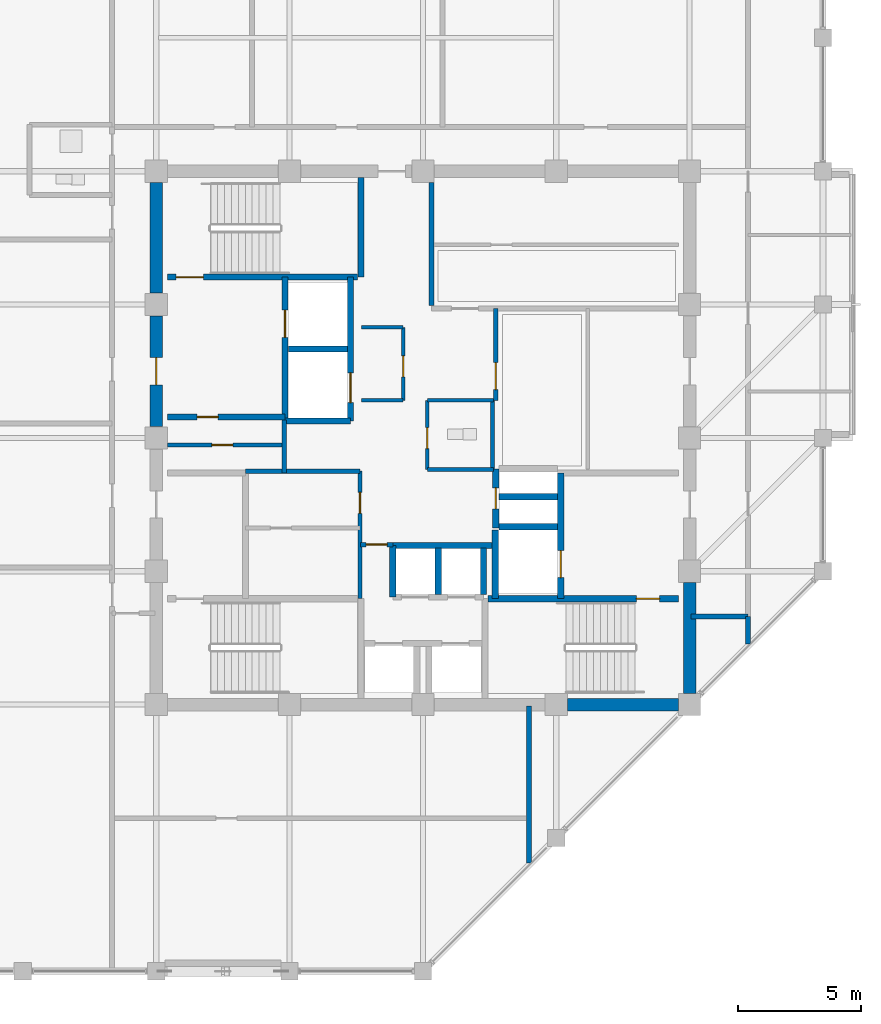
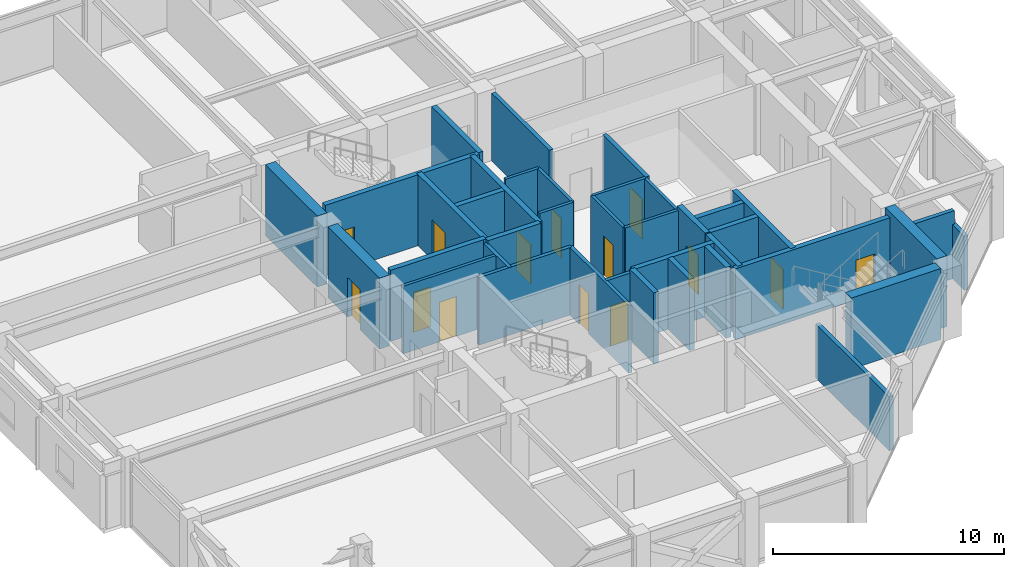
# One storey, part 24 of 29: 38 walls, 14 doors, 14 openings.
"""IFC4 building model written with IfcOpenShell, lengths in metres."""

from ifc_helpers import new_model, si_unit, direction, frame, frame_2d, origin, place, context, subcontext, project, spatial, rectangle, extrude, material, layer, layer_set, type_object, element, fill, save


model = new_model("IFC4")

# Units and contexts
model_context = context("Model", 3, precision=1e-05, world=origin(), true_north=direction((0.0, 1.0)))
body_context = subcontext(model_context, "Body", "Model", "MODEL_VIEW")
ifc_project = project(units=[si_unit("LENGTHUNIT", "METRE"), si_unit("AREAUNIT", "SQUARE_METRE"), si_unit("VOLUMEUNIT", "CUBIC_METRE"), si_unit("PLANEANGLEUNIT", "RADIAN"), si_unit("MASSUNIT", "GRAM", prefix="KILO")], contexts=[model_context])

# Site, building, storey
site_placement = place(None, origin())
site = spatial("IfcSite", under=ifc_project, at=site_placement, CompositionType="ELEMENT")
building_placement = place(site_placement, origin())
building = spatial("IfcBuilding", under=site, at=building_placement, Name="Surkhivell Harbour Commons", CompositionType="ELEMENT")
storey_placement = place(building_placement, frame((0.0, 0.0, 273.75)))
storey = spatial("IfcBuildingStorey", under=building, at=storey_placement, Name="L71", CompositionType="ELEMENT", Elevation=273.75)

# Wall
ifc_material_1 = material(Name="Concrete C50/60", Category="concrete")
ifc_layer_1 = layer(ifc_material_1, 0.5)
ifc_layer_set_1 = layer_set([ifc_layer_1], Name="Concrete C50/60")
wall_type_1 = type_object("IfcWallType", Name="WAL-CORE-500", PredefinedType="SHEAR", material=ifc_layer_set_1)
wall_1_placement = place(storey_placement, frame((10.800048828125, -10.340087890625, 0.0), z_axis=(0.0, 0.0, 1.0), x_axis=(0.0, 1.0, 0.0)))
element("IfcWall", 1, at=wall_1_placement, inside=storey, type_object=wall_type_1, Name="L71 Core Shear Wall East 1", PredefinedType="SHEAR", context=body_context, shape_type="SweptSolid", body=[
    extrude(rectangle(XDim=4.47998046875, YDim=0.5, at=frame_2d((2.239990234375, 0.0))), origin(), (0.0, 0.0, 1.0), 3.75),
])

# Wall, opening, door
wall_2_placement = place(storey_placement, frame((-10.800048828125, 0.4599609375, 0.0), z_axis=(0.0, 0.0, 1.0), x_axis=(0.0, 1.0, 0.0)))
wall_2 = element("IfcWall", 2, at=wall_2_placement, inside=storey, type_object=wall_type_1, Name="L71 Core Shear Wall West 3", PredefinedType="SHEAR", context=body_context, shape_type="SweptSolid", body=[
    extrude(rectangle(XDim=4.47998046875, YDim=0.5, at=frame_2d((2.239990234375, 0.0))), origin(), (0.0, 0.0, 1.0), 3.75),
])
opening_1_placement = place(wall_2_placement, frame((1.68994140625, 0.0, 0.0)))
opening_1 = element("IfcOpeningElement", 3, at=opening_1_placement, cuts=wall_2, Name="Opening ID-1", PredefinedType="OPENING", context=body_context, shape_type="SweptSolid", body=[
    extrude(rectangle(XDim=1.10009765625, YDim=2.10009765625, at=frame_2d((0.550048828125, 1.050048828125))), frame((0.0, 0.260009765625, 0.0), z_axis=(0.0, -1.0, 0.0), x_axis=(1.0, 0.0, 0.0)), (0.0, 0.0, 1.0), 0.52001953125),
])
ifc_material_2 = material(Name="Hardwood-veneered fire-rated door leaf", Category="wood")
door_type_1 = type_object("IfcDoorType", Name="DOR-FD120-1100", OperationType="NOTDEFINED", PredefinedType="DOOR", material=ifc_material_2)
door_1_placement = place(opening_1_placement, origin())
door_1 = element("IfcDoor", 4, at=door_1_placement, inside=storey, type_object=door_type_1, Name="L71 Firefighting Lobby 1 Corridor Door", OperationType="SINGLE_SWING_LEFT", OverallHeight=2.10009765625, OverallWidth=1.10009765625, PredefinedType="DOOR", context=body_context, shape_type="SweptSolid", body=[
    extrude(rectangle(XDim=1.10009765625, YDim=2.10009765625, at=frame_2d((0.550048828125, 1.050048828125))), frame((0.0, 0.02490234375, 0.0), z_axis=(0.0, -1.0, 0.0), x_axis=(1.0, 0.0, 0.0)), (0.0, 0.0, 1.0), 0.050048828125),
])
fill(opening_1, door_1)

# Walls
for number, where, z_axis, x_axis, name in (
    (5, (5.860107421875, -10.800048828125, 0.0), (0.0, 0.0, 1.0), (1.0, 0.0, 0.0), "L71 Core Shear Wall South 4"),
    (6, (-10.800048828125, 5.860107421875, 0.0), (0.0, 0.0, 1.0), (0.0, 1.0, 0.0), "L71 Core Shear Wall West 4"),
):
    element("IfcWall", number, at=place(storey_placement, frame(where, z_axis=z_axis, x_axis=x_axis)), inside=storey, type_object=wall_type_1, Name=name, PredefinedType="SHEAR", context=body_context, shape_type="SweptSolid", body=[
        extrude(rectangle(XDim=4.47998046875, YDim=0.5, at=frame_2d((2.239990234375, 0.0))), origin(), (0.0, 0.0, 1.0), 3.75),
    ])
ifc_material_3 = material(Name="Twin-stud acoustic fireboard partition", Category="other")
ifc_layer_2 = layer(ifc_material_3, 0.14990234375)
ifc_layer_set_2 = layer_set([ifc_layer_2], Name="Twin-stud acoustic fireboard partition")
wall_type_2 = type_object("IfcWallType", Name="WAL-INT-150", PredefinedType="PARTITIONING", material=ifc_layer_set_2)
wall_3_placement = place(storey_placement, frame((2.820068359375, -1.25, 0.0), z_axis=(0.0, 0.0, 1.0), x_axis=(0.0, 1.0, 0.0)))
element("IfcWall", 7, at=wall_3_placement, inside=storey, type_object=wall_type_2, Name="L71 Core WC East Wall", PredefinedType="PARTITIONING", context=body_context, shape_type="SweptSolid", body=[
    extrude(rectangle(XDim=2.77001953125, YDim=0.14990234375, at=frame_2d((1.385009765625, 0.0))), origin(), (0.0, 0.0, 1.0), 3.570068359375),
])
for number, where, z_axis, x_axis, name in (
    (8, (0.179931640625, 1.52001953125, 0.0), (0.0, 0.0, 1.0), (1.0, 0.0, 0.0), "L71 Core WC North Wall"),
    (9, (0.179931640625, -1.280029296875, 0.0), (0.0, 0.0, 1.0), (1.0, 0.0, 0.0), "L71 Core WC South Wall"),
):
    element("IfcWall", number, at=place(storey_placement, frame(where, z_axis=z_axis, x_axis=x_axis)), inside=storey, type_object=wall_type_2, Name=name, PredefinedType="PARTITIONING", context=body_context, shape_type="SweptSolid", body=[
        extrude(rectangle(XDim=2.670166015625, YDim=0.14990234375, at=frame_2d((1.3349609375, 0.0))), origin(), (0.0, 0.0, 1.0), 3.570068359375),
    ])

# Wall, opening, door
wall_4_placement = place(storey_placement, frame((0.179931640625, -1.280029296875, 0.0), z_axis=(0.0, 0.0, 1.0), x_axis=(0.0, 1.0, 0.0)))
wall_4 = element("IfcWall", 10, at=wall_4_placement, inside=storey, type_object=wall_type_2, Name="L71 Core Accessible WC West Wall", PredefinedType="PARTITIONING", context=body_context, shape_type="SweptSolid", body=[
    extrude(rectangle(XDim=2.800048828125, YDim=0.14990234375, at=frame_2d((1.39990234375, 0.0))), origin(), (0.0, 0.0, 1.0), 3.570068359375),
])
opening_2_placement = place(wall_4_placement, frame((0.85009765625, 0.0, 0.0)))
opening_2 = element("IfcOpeningElement", 11, at=opening_2_placement, cuts=wall_4, Name="Opening ID-6", PredefinedType="OPENING", context=body_context, shape_type="SweptSolid", body=[
    extrude(rectangle(XDim=0.85009765625, YDim=2.10009765625, at=frame_2d((0.425048828125, 1.050048828125))), frame((0.0, 0.0849609375, 0.0), z_axis=(0.0, -1.0, 0.0), x_axis=(1.0, 0.0, 0.0)), (0.0, 0.0, 1.0), 0.169921875),
])
door_type_2 = type_object("IfcDoorType", Name="DOR-FD30-850", OperationType="NOTDEFINED", PredefinedType="DOOR", material=ifc_material_2)
door_2_placement = place(opening_2_placement, origin())
door_2 = element("IfcDoor", 12, at=door_2_placement, inside=storey, type_object=door_type_2, Name="L71 Floor Accessible WC Door", OperationType="SINGLE_SWING_RIGHT", OverallHeight=2.10009765625, OverallWidth=0.85009765625, PredefinedType="DOOR", context=body_context, shape_type="SweptSolid", body=[
    extrude(rectangle(XDim=0.85009765625, YDim=2.10009765625, at=frame_2d((0.425048828125, 1.050048828125))), frame((0.0, 0.02490234375, 0.0), z_axis=(0.0, -1.0, 0.0), x_axis=(1.0, 0.0, 0.0)), (0.0, 0.0, 1.0), 0.050048828125),
])
fill(opening_2, door_2)

wall_5_placement = place(storey_placement, frame((-10.340087890625, -0.2900390625, 0.0), z_axis=(0.0, 0.0, 1.0), x_axis=(1.0, 0.0, 0.0)))
wall_5 = element("IfcWall", 13, at=wall_5_placement, inside=storey, type_object=wall_type_2, Name="L71 West Core Horizontal Cut", PredefinedType="PARTITIONING", context=body_context, shape_type="SweptSolid", body=[
    extrude(rectangle(XDim=4.719970703125, YDim=0.14990234375, at=frame_2d((2.35986328125, 0.0))), origin(), (0.0, 0.0, 1.0), 3.570068359375),
])
opening_3_placement = place(wall_5_placement, frame((1.800048828125, 0.0, 0.0)))
opening_3 = element("IfcOpeningElement", 14, at=opening_3_placement, cuts=wall_5, Name="Opening ID-6", PredefinedType="OPENING", context=body_context, shape_type="SweptSolid", body=[
    extrude(rectangle(XDim=0.85009765625, YDim=2.10009765625, at=frame_2d((0.425048828125, 1.050048828125))), frame((0.0, 0.0849609375, 0.0), z_axis=(0.0, -1.0, 0.0), x_axis=(1.0, 0.0, 0.0)), (0.0, 0.0, 1.0), 0.169921875),
])
door_3_placement = place(opening_3_placement, origin())
door_3 = element("IfcDoor", 15, at=door_3_placement, inside=storey, type_object=door_type_2, Name="L71 West Music Pod Door", OperationType="SINGLE_SWING_RIGHT", OverallHeight=2.10009765625, OverallWidth=0.85009765625, PredefinedType="DOOR", context=body_context, shape_type="SweptSolid", body=[
    extrude(rectangle(XDim=0.85009765625, YDim=2.10009765625, at=frame_2d((0.425048828125, 1.050048828125))), frame((0.0, 0.02490234375, 0.0), z_axis=(0.0, -1.0, 0.0), x_axis=(1.0, 0.0, 0.0)), (0.0, 0.0, 1.0), 0.050048828125),
])
fill(opening_3, door_3)

wall_6_placement = place(storey_placement, frame((-0.800048828125, 1.52001953125, 0.0), z_axis=(0.0, 0.0, 1.0), x_axis=(0.0, 1.0, 0.0)))
wall_6 = element("IfcWall", 16, at=wall_6_placement, inside=storey, type_object=wall_type_2, Name="L71 Core Seminar East Wall", PredefinedType="PARTITIONING", context=body_context, shape_type="SweptSolid", body=[
    extrude(rectangle(XDim=2.9599609375, YDim=0.14990234375, at=frame_2d((1.47998046875, 0.0))), origin(), (0.0, 0.0, 1.0), 3.570068359375),
])
opening_4_placement = place(wall_6_placement, frame((0.949951171875, 0.0, 0.0)))
opening_4 = element("IfcOpeningElement", 17, at=opening_4_placement, cuts=wall_6, Name="Opening ID-6", PredefinedType="OPENING", context=body_context, shape_type="SweptSolid", body=[
    extrude(rectangle(XDim=0.85009765625, YDim=2.10009765625, at=frame_2d((0.425048828125, 1.050048828125))), frame((0.0, 0.0849609375, 0.0), z_axis=(0.0, -1.0, 0.0), x_axis=(1.0, 0.0, 0.0)), (0.0, 0.0, 1.0), 0.169921875),
])
door_4_placement = place(opening_4_placement, origin())
door_4 = element("IfcDoor", 18, at=door_4_placement, inside=storey, type_object=door_type_2, Name="L71 Central Seminar Door", OperationType="SINGLE_SWING_LEFT", OverallHeight=2.10009765625, OverallWidth=0.85009765625, PredefinedType="DOOR", context=body_context, shape_type="SweptSolid", body=[
    extrude(rectangle(XDim=0.85009765625, YDim=2.10009765625, at=frame_2d((0.425048828125, 1.050048828125))), frame((0.0, 0.02490234375, 0.0), z_axis=(0.0, -1.0, 0.0), x_axis=(1.0, 0.0, 0.0)), (0.0, 0.0, 1.0), 0.050048828125),
])
fill(opening_4, door_4)

# Walls
for number, where, z_axis, x_axis, name in (
    (19, (-2.47998046875, 4.47998046875, 0.0), (0.0, 0.0, 1.0), (1.0, 0.0, 0.0), "L71 Core Seminar North Wall"),
    (20, (-2.47998046875, 1.52001953125, 0.0), (0.0, 0.0, 1.0), (1.0, 0.0, 0.0), "L71 Core Seminar South Wall"),
):
    element("IfcWall", number, at=place(storey_placement, frame(where, z_axis=z_axis, x_axis=x_axis)), inside=storey, type_object=wall_type_2, Name=name, PredefinedType="PARTITIONING", context=body_context, shape_type="SweptSolid", body=[
        extrude(rectangle(XDim=1.679931640625, YDim=0.14990234375, at=frame_2d((0.83984375, 0.0))), origin(), (0.0, 0.0, 1.0), 3.570068359375),
    ])

# Wall, opening, door
ifc_material_4 = material(Name="High-density acoustic blockwork fire partition", Category="masonry")
ifc_layer_3 = layer(ifc_material_4, 0.175048828125)
ifc_layer_set_3 = layer_set([ifc_layer_3], Name="High-density acoustic blockwork fire partition")
wall_type_3 = type_object("IfcWallType", Name="WAL-INT-175", PredefinedType="PARTITIONING", material=ifc_layer_set_3)
wall_7_placement = place(storey_placement, frame((-2.550048828125, -6.510009765625, 0.0), z_axis=(0.0, 0.0, 1.0), x_axis=(0.0, 1.0, 0.0)))
wall_7 = element("IfcWall", 21, at=wall_7_placement, inside=storey, type_object=wall_type_3, Name="L71 Core Service Bay East Wall", PredefinedType="PARTITIONING", context=body_context, shape_type="SweptSolid", body=[
    extrude(rectangle(XDim=5.159912109375, YDim=0.175048828125, at=frame_2d((2.580078125, 0.0))), origin(), (0.0, 0.0, 1.0), 3.570068359375),
])
opening_5_placement = place(wall_7_placement, frame((3.449951171875, 0.0, 0.0)))
opening_5 = element("IfcOpeningElement", 22, at=opening_5_placement, cuts=wall_7, Name="Opening ID-6", PredefinedType="OPENING", context=body_context, shape_type="SweptSolid", body=[
    extrude(rectangle(XDim=0.85009765625, YDim=2.10009765625, at=frame_2d((0.425048828125, 1.050048828125))), frame((0.0, 0.097412109375, 0.0), z_axis=(0.0, -1.0, 0.0), x_axis=(1.0, 0.0, 0.0)), (0.0, 0.0, 1.0), 0.195068359375),
])
door_5_placement = place(opening_5_placement, origin())
door_5 = element("IfcDoor", 23, at=door_5_placement, inside=storey, type_object=door_type_2, Name="L71 Core Seminar Door", OperationType="SINGLE_SWING_LEFT", OverallHeight=2.10009765625, OverallWidth=0.85009765625, PredefinedType="DOOR", context=body_context, shape_type="SweptSolid", body=[
    extrude(rectangle(XDim=0.85009765625, YDim=2.10009765625, at=frame_2d((0.425048828125, 1.050048828125))), frame((0.0, 0.02490234375, 0.0), z_axis=(0.0, -1.0, 0.0), x_axis=(1.0, 0.0, 0.0)), (0.0, 0.0, 1.0), 0.050048828125),
])
fill(opening_5, door_5)

# Walls
wall_8_placement = place(storey_placement, frame((-7.179931640625, -1.35009765625, 0.0), z_axis=(0.0, 0.0, 1.0), x_axis=(1.0, 0.0, 0.0)))
element("IfcWall", 24, at=wall_8_placement, inside=storey, type_object=wall_type_3, Name="L71 Core Service Bay North Wall", PredefinedType="PARTITIONING", context=body_context, shape_type="SweptSolid", body=[
    extrude(rectangle(XDim=4.6298828125, YDim=0.175048828125, at=frame_2d((2.31494140625, 0.0))), origin(), (0.0, 0.0, 1.0), 3.570068359375),
])
wall_9_placement = place(storey_placement, frame((-5.6201171875, -1.419921875, 0.0), z_axis=(0.0, 0.0, 1.0), x_axis=(0.0, 1.0, 0.0)))
element("IfcWall", 25, at=wall_9_placement, inside=storey, type_object=wall_type_3, Name="L71 West Core Bay East Wall", PredefinedType="PARTITIONING", context=body_context, shape_type="SweptSolid", body=[
    extrude(rectangle(XDim=2.139892578125, YDim=0.175048828125, at=frame_2d((1.06982421875, 0.0))), origin(), (0.0, 0.0, 1.0), 3.570068359375),
])

# Wall, opening, door
wall_10_placement = place(storey_placement, frame((-2.52001953125, -4.320068359375, 0.0), z_axis=(0.0, 0.0, 1.0), x_axis=(1.0, 0.0, 0.0)))
wall_10 = element("IfcWall", 26, at=wall_10_placement, inside=storey, type_object=wall_type_3, Name="L71 High-Rise Lobby North Portal Wall", PredefinedType="PARTITIONING", context=body_context, shape_type="SweptSolid", body=[
    extrude(rectangle(XDim=1.300048828125, YDim=0.175048828125, at=frame_2d((0.64990234375, 0.0))), origin(), (0.0, 0.0, 1.0), 3.570068359375),
])
opening_6_placement = place(wall_10_placement, frame((0.219970703125, 0.0, 0.0)))
opening_6 = element("IfcOpeningElement", 27, at=opening_6_placement, cuts=wall_10, Name="Opening ID-6", PredefinedType="OPENING", context=body_context, shape_type="SweptSolid", body=[
    extrude(rectangle(XDim=0.85009765625, YDim=2.10009765625, at=frame_2d((0.425048828125, 1.050048828125))), frame((0.0, 0.097412109375, 0.0), z_axis=(0.0, -1.0, 0.0), x_axis=(1.0, 0.0, 0.0)), (0.0, 0.0, 1.0), 0.195068359375),
])
door_6_placement = place(opening_6_placement, origin())
door_6 = element("IfcDoor", 28, at=door_6_placement, inside=storey, type_object=door_type_2, Name="L71 High-Rise Lift Lobby North Door", OperationType="SINGLE_SWING_LEFT", OverallHeight=2.10009765625, OverallWidth=0.85009765625, PredefinedType="DOOR", context=body_context, shape_type="SweptSolid", body=[
    extrude(rectangle(XDim=0.85009765625, YDim=2.10009765625, at=frame_2d((0.425048828125, 1.050048828125))), frame((0.0, 0.02490234375, 0.0), z_axis=(0.0, -1.0, 0.0), x_axis=(1.0, 0.0, 0.0)), (0.0, 0.0, 1.0), 0.050048828125),
])
fill(opening_6, door_6)

# Walls
ifc_material_5 = material(Name="Autoclaved aerated concrete blockwork and fire plaster", Category="masonry")
ifc_layer_4 = layer(ifc_material_5, 0.199951171875)
ifc_layer_set_4 = layer_set([ifc_layer_4], Name="Autoclaved aerated concrete blockwork and fire plaster")
wall_type_4 = type_object("IfcWallType", Name="WAL-INT-200", PredefinedType="PARTITIONING", material=ifc_layer_set_4)
wall_11_placement = place(storey_placement, frame((0.35009765625, 5.360107421875, 0.0), z_axis=(0.0, 0.0, 1.0), x_axis=(0.0, 1.0, 0.0)))
element("IfcWall", 29, at=wall_11_placement, inside=storey, type_object=wall_type_4, Name="L71 Reclaimed Core North Bay West Wall", PredefinedType="PARTITIONING", context=body_context, shape_type="SweptSolid", body=[
    extrude(rectangle(XDim=4.97998046875, YDim=0.199951171875, at=frame_2d((2.489990234375, 0.0))), origin(), (0.0, 0.0, 1.0), 3.570068359375),
])
wall_12_placement = place(storey_placement, frame((13.159912109375, -8.355224609375, 0.0), z_axis=(0.0, 0.0, 1.0), x_axis=(0.0, 1.0, 0.0)))
element("IfcWall", 30, at=wall_12_placement, inside=storey, type_object=wall_type_4, Name="L71 East Wing South Closure Wall", PredefinedType="PARTITIONING", context=body_context, shape_type="SweptSolid", body=[
    extrude(rectangle(XDim=1.115234375, YDim=0.199951171875, at=frame_2d((0.5576171875, 0.0))), origin(), (0.0, 0.0, 1.0), 2.85693359375),
])
wall_13_placement = place(storey_placement, frame((10.85009765625, -7.239990234375, 0.0), z_axis=(0.0, 0.0, 1.0), x_axis=(1.0, 0.0, 0.0)))
element("IfcWall", 31, at=wall_13_placement, inside=storey, type_object=wall_type_4, Name="L71 East Corridor South Closure Wall", PredefinedType="PARTITIONING", context=body_context, shape_type="SweptSolid", body=[
    extrude(rectangle(XDim=2.309814453125, YDim=0.199951171875, at=frame_2d((1.15478515625, 0.0))), origin(), (0.0, 0.0, 1.0), 3.570068359375),
])
wall_14_placement = place(storey_placement, frame((4.300048828125, -17.215087890625, 0.0), z_axis=(0.0, 0.0, 1.0), x_axis=(0.0, 1.0, 0.0)))
element("IfcWall", 32, at=wall_14_placement, inside=storey, type_object=wall_type_4, Name="L71 South Hall East Wall", PredefinedType="PARTITIONING", context=body_context, shape_type="SweptSolid", body=[
    extrude(rectangle(XDim=6.364990234375, YDim=0.199951171875, at=frame_2d((3.1826171875, 0.0))), origin(), (0.0, 0.0, 1.0), 2.85693359375),
])

# Wall, opening, door
wall_15_placement = place(storey_placement, frame((2.949951171875, 1.52001953125, 0.0), z_axis=(0.0, 0.0, 1.0), x_axis=(0.0, 1.0, 0.0)))
wall_15 = element("IfcWall", 33, at=wall_15_placement, inside=storey, type_object=wall_type_4, Name="L71 Reclaimed East Core West Wall", PredefinedType="PARTITIONING", context=body_context, shape_type="SweptSolid", body=[
    extrude(rectangle(XDim=3.719970703125, YDim=0.199951171875, at=frame_2d((1.85986328125, 0.0))), origin(), (0.0, 0.0, 1.0), 3.570068359375),
])
opening_7_placement = place(wall_15_placement, frame((0.429931640625, 0.0, 0.0)))
opening_7 = element("IfcOpeningElement", 34, at=opening_7_placement, cuts=wall_15, Name="Opening ID-2", PredefinedType="OPENING", context=body_context, shape_type="SweptSolid", body=[
    extrude(rectangle(XDim=1.10009765625, YDim=2.10009765625, at=frame_2d((0.550048828125, 1.050048828125))), frame((0.0, 0.10986328125, 0.0), z_axis=(0.0, -1.0, 0.0), x_axis=(1.0, 0.0, 0.0)), (0.0, 0.0, 1.0), 0.219970703125),
])
door_type_3 = type_object("IfcDoorType", Name="DOR-FD60-1100", OperationType="NOTDEFINED", PredefinedType="DOOR", material=ifc_material_2)
door_7_placement = place(opening_7_placement, origin())
door_7 = element("IfcDoor", 35, at=door_7_placement, inside=storey, type_object=door_type_3, Name="L71 Reading Gallery Door", OperationType="SINGLE_SWING_LEFT", OverallHeight=2.10009765625, OverallWidth=1.10009765625, PredefinedType="DOOR", context=body_context, shape_type="SweptSolid", body=[
    extrude(rectangle(XDim=1.10009765625, YDim=2.10009765625, at=frame_2d((0.550048828125, 1.050048828125))), frame((0.0, 0.02490234375, 0.0), z_axis=(0.0, -1.0, 0.0), x_axis=(1.0, 0.0, 0.0)), (0.0, 0.0, 1.0), 0.050048828125),
])
fill(opening_7, door_7)

ifc_layer_5 = layer(ifc_material_1, 0.25)
ifc_layer_set_5 = layer_set([ifc_layer_5], Name="Concrete C50/60")
wall_type_5 = type_object("IfcWallType", Name="WAL-SHAFT-250", PredefinedType="SHEAR", material=ifc_layer_set_5)
wall_16_placement = place(storey_placement, frame((-5.580078125, 0.719970703125, 0.0), z_axis=(0.0, 0.0, 1.0), x_axis=(0.0, 1.0, 0.0)))
wall_16 = element("IfcWall", 36, at=wall_16_placement, inside=storey, type_object=wall_type_5, Name="L71 Firefighting Lobby 1 East Shaft Wall", PredefinedType="SHEAR", context=body_context, shape_type="SweptSolid", body=[
    extrude(rectangle(XDim=5.7900390625, YDim=0.25, at=frame_2d((2.89501953125, 0.0))), origin(), (0.0, 0.0, 1.0), 3.75),
])
opening_8_placement = place(wall_16_placement, frame((3.35009765625, 0.0, 0.0)))
opening_8 = element("IfcOpeningElement", 37, at=opening_8_placement, cuts=wall_16, Name="Opening LD-1", PredefinedType="OPENING", context=body_context, shape_type="SweptSolid", body=[
    extrude(rectangle(XDim=1.10009765625, YDim=2.10009765625, at=frame_2d((0.550048828125, 1.050048828125))), frame((0.0, 0.135009765625, 0.0), z_axis=(0.0, -1.0, 0.0), x_axis=(1.0, 0.0, 0.0)), (0.0, 0.0, 1.0), 0.27001953125),
])
ifc_material_6 = material(Name="Brushed stainless steel S355", Category="steel")
door_type_4 = type_object("IfcDoorType", Name="DOR-LD-1100", OperationType="SLIDING_TO_LEFT", PredefinedType="DOOR", material=ifc_material_6)
door_8_placement = place(opening_8_placement, origin())
door_8 = element("IfcDoor", 38, at=door_8_placement, inside=storey, type_object=door_type_4, Name="L71 Lift Landing Door LD-FFL1", OperationType="SLIDING_TO_LEFT", OverallHeight=2.10009765625, OverallWidth=1.10009765625, PredefinedType="DOOR", context=body_context, shape_type="SweptSolid", body=[
    extrude(rectangle(XDim=1.10009765625, YDim=2.10009765625, at=frame_2d((0.550048828125, 1.050048828125))), frame((0.0, 0.02490234375, 0.0), z_axis=(0.0, -1.0, 0.0), x_axis=(1.0, 0.0, 0.0)), (0.0, 0.0, 1.0), 0.050048828125),
])
fill(opening_8, door_8)

wall_17_placement = place(storey_placement, frame((-10.340087890625, 0.85009765625, 0.0), z_axis=(0.0, 0.0, 1.0), x_axis=(1.0, 0.0, 0.0)))
wall_17 = element("IfcWall", 39, at=wall_17_placement, inside=storey, type_object=wall_type_5, Name="L71 Firefighting Lobby 1 South Wall", PredefinedType="SHEAR", context=body_context, shape_type="SweptSolid", body=[
    extrude(rectangle(XDim=4.760009765625, YDim=0.25, at=frame_2d((2.3798828125, 0.0))), origin(), (0.0, 0.0, 1.0), 3.75),
])
opening_9_placement = place(wall_17_placement, frame((1.199951171875, 0.0, 0.0)))
opening_9 = element("IfcOpeningElement", 40, at=opening_9_placement, cuts=wall_17, Name="Opening ID-6", PredefinedType="OPENING", context=body_context, shape_type="SweptSolid", body=[
    extrude(rectangle(XDim=0.85009765625, YDim=2.10009765625, at=frame_2d((0.425048828125, 1.050048828125))), frame((0.0, 0.135009765625, 0.0), z_axis=(0.0, -1.0, 0.0), x_axis=(1.0, 0.0, 0.0)), (0.0, 0.0, 1.0), 0.27001953125),
])
door_9_placement = place(opening_9_placement, origin())
door_9 = element("IfcDoor", 41, at=door_9_placement, inside=storey, type_object=door_type_2, Name="L71 West Reading Alcove Door", OperationType="SINGLE_SWING_LEFT", OverallHeight=2.10009765625, OverallWidth=0.85009765625, PredefinedType="DOOR", context=body_context, shape_type="SweptSolid", body=[
    extrude(rectangle(XDim=0.85009765625, YDim=2.10009765625, at=frame_2d((0.425048828125, 1.050048828125))), frame((0.0, 0.02490234375, 0.0), z_axis=(0.0, -1.0, 0.0), x_axis=(1.0, 0.0, 0.0)), (0.0, 0.0, 1.0), 0.050048828125),
])
fill(opening_9, door_9)

# Walls
wall_18_placement = place(storey_placement, frame((2.929931640625, -6.510009765625, 0.0), z_axis=(0.0, 0.0, 1.0), x_axis=(0.0, 1.0, 0.0)))
element("IfcWall", 42, at=wall_18_placement, inside=storey, type_object=wall_type_5, Name="L71 FFL2 West Shaft Wall", PredefinedType="SHEAR", context=body_context, shape_type="SweptSolid", body=[
    extrude(rectangle(XDim=2.7900390625, YDim=0.25, at=frame_2d((1.39501953125, 0.0))), origin(), (0.0, 0.0, 1.0), 3.75),
])
wall_19_placement = place(storey_placement, frame((3.080078125, -3.60009765625, 0.0), z_axis=(0.0, 0.0, 1.0), x_axis=(1.0, 0.0, 0.0)))
element("IfcWall", 43, at=wall_19_placement, inside=storey, type_object=wall_type_5, Name="L71 FFL2 North Shaft Wall", PredefinedType="SHEAR", context=body_context, shape_type="SweptSolid", body=[
    extrude(rectangle(XDim=2.369873046875, YDim=0.25, at=frame_2d((1.18505859375, 0.0))), origin(), (0.0, 0.0, 1.0), 3.75),
])

# Wall, opening, door
wall_20_placement = place(storey_placement, frame((5.580078125, -6.510009765625, 0.0), z_axis=(0.0, 0.0, 1.0), x_axis=(0.0, 1.0, 0.0)))
wall_20 = element("IfcWall", 44, at=wall_20_placement, inside=storey, type_object=wall_type_5, Name="L71 Firefighting Lobby 2 West Shaft Wall", PredefinedType="SHEAR", context=body_context, shape_type="SweptSolid", body=[
    extrude(rectangle(XDim=5.090087890625, YDim=0.25, at=frame_2d((2.544921875, 0.0))), origin(), (0.0, 0.0, 1.0), 3.75),
])
opening_10_placement = place(wall_20_placement, frame((0.85009765625, 0.0, 0.0)))
opening_10 = element("IfcOpeningElement", 45, at=opening_10_placement, cuts=wall_20, Name="Opening LD-1", PredefinedType="OPENING", context=body_context, shape_type="SweptSolid", body=[
    extrude(rectangle(XDim=1.10009765625, YDim=2.10009765625, at=frame_2d((0.550048828125, 1.050048828125))), frame((0.0, 0.135009765625, 0.0), z_axis=(0.0, -1.0, 0.0), x_axis=(1.0, 0.0, 0.0)), (0.0, 0.0, 1.0), 0.27001953125),
])
door_10_placement = place(opening_10_placement, origin())
door_10 = element("IfcDoor", 46, at=door_10_placement, inside=storey, type_object=door_type_4, Name="L71 Lift Landing Door LD-FFL2", OperationType="SLIDING_TO_RIGHT", OverallHeight=2.10009765625, OverallWidth=1.10009765625, PredefinedType="DOOR", context=body_context, shape_type="SweptSolid", body=[
    extrude(rectangle(XDim=1.10009765625, YDim=2.10009765625, at=frame_2d((0.550048828125, 1.050048828125))), frame((0.0, 0.02490234375, 0.0), z_axis=(0.0, -1.0, 0.0), x_axis=(1.0, 0.0, 0.0)), (0.0, 0.0, 1.0), 0.050048828125),
])
fill(opening_10, door_10)

# Walls
for number, where, z_axis, x_axis, name in (
    (47, (0.6201171875, -6.340087890625, 0.0), (0.0, 0.0, 1.0), (0.0, 1.0, 0.0), "L71 High-Rise Side Wall N"),
    (48, (2.449951171875, -6.340087890625, 0.0), (0.0, 0.0, 1.0), (0.0, 1.0, 0.0), "L71 High-Rise Side Wall N"),
):
    element("IfcWall", number, at=place(storey_placement, frame(where, z_axis=z_axis, x_axis=x_axis)), inside=storey, type_object=wall_type_5, Name=name, PredefinedType="SHEAR", context=body_context, shape_type="SweptSolid", body=[
        extrude(rectangle(XDim=1.880126953125, YDim=0.25, at=frame_2d((0.93994140625, 0.0))), origin(), (0.0, 0.0, 1.0), 3.75),
    ])
wall_21_placement = place(storey_placement, frame((-1.219970703125, -6.43994140625, 0.0), z_axis=(0.0, 0.0, 1.0), x_axis=(0.0, 1.0, 0.0)))
element("IfcWall", 49, at=wall_21_placement, inside=storey, type_object=wall_type_5, Name="L71 High-Rise Passage East Shaft Wall", PredefinedType="SHEAR", context=body_context, shape_type="SweptSolid", body=[
    extrude(rectangle(XDim=2.079833984375, YDim=0.25, at=frame_2d((1.0400390625, 0.0))), origin(), (0.0, 0.0, 1.0), 3.75),
])
wall_22_placement = place(storey_placement, frame((-1.219970703125, -4.360107421875, 0.0), z_axis=(0.0, 0.0, 1.0), x_axis=(1.0, 0.0, 0.0)))
element("IfcWall", 50, at=wall_22_placement, inside=storey, type_object=wall_type_5, Name="L71 High-Rise North Back Shaft Wall", PredefinedType="SHEAR", context=body_context, shape_type="SweptSolid", body=[
    extrude(rectangle(XDim=4.030029296875, YDim=0.25, at=frame_2d((2.01513671875, 0.0))), origin(), (0.0, 0.0, 1.0), 3.75),
])
wall_23_placement = place(storey_placement, frame((3.080078125, -2.3798828125, 0.0), z_axis=(0.0, 0.0, 1.0), x_axis=(1.0, 0.0, 0.0)))
element("IfcWall", 51, at=wall_23_placement, inside=storey, type_object=wall_type_5, Name="L71 Riser Divider Wall", PredefinedType="SHEAR", context=body_context, shape_type="SweptSolid", body=[
    extrude(rectangle(XDim=2.369873046875, YDim=0.25, at=frame_2d((1.18505859375, 0.0))), origin(), (0.0, 0.0, 1.0), 3.75),
])

# Wall, opening, door
wall_24_placement = place(storey_placement, frame((2.949951171875, -3.64990234375, 0.0), z_axis=(0.0, 0.0, 1.0), x_axis=(0.0, 1.0, 0.0)))
wall_24 = element("IfcWall", 52, at=wall_24_placement, inside=storey, type_object=wall_type_5, Name="L71 Riser Shaft West Wall", PredefinedType="SHEAR", context=body_context, shape_type="SweptSolid", body=[
    extrude(rectangle(XDim=2.39990234375, YDim=0.25, at=frame_2d((1.199951171875, 0.0))), origin(), (0.0, 0.0, 1.0), 3.75),
])
opening_11_placement = place(wall_24_placement, frame((0.77490234375, 0.0, 0.0)))
opening_11 = element("IfcOpeningElement", 53, at=opening_11_placement, cuts=wall_24, Name="Opening ID-6", PredefinedType="OPENING", context=body_context, shape_type="SweptSolid", body=[
    extrude(rectangle(XDim=0.85009765625, YDim=2.10009765625, at=frame_2d((0.425048828125, 1.050048828125))), frame((0.0, 0.135009765625, 0.0), z_axis=(0.0, -1.0, 0.0), x_axis=(1.0, 0.0, 0.0)), (0.0, 0.0, 1.0), 0.27001953125),
])
door_11_placement = place(opening_11_placement, origin())
door_11 = element("IfcDoor", 54, at=door_11_placement, inside=storey, type_object=door_type_2, Name="L71 Electrical Riser Access Door", OperationType="SINGLE_SWING_LEFT", OverallHeight=2.10009765625, OverallWidth=0.85009765625, PredefinedType="DOOR", context=body_context, shape_type="SweptSolid", body=[
    extrude(rectangle(XDim=0.85009765625, YDim=2.10009765625, at=frame_2d((0.425048828125, 1.050048828125))), frame((0.0, 0.02490234375, 0.0), z_axis=(0.0, -1.0, 0.0), x_axis=(1.0, 0.0, 0.0)), (0.0, 0.0, 1.0), 0.050048828125),
])
fill(opening_11, door_11)

# Wall
wall_25_placement = place(storey_placement, frame((-2.510009765625, 6.510009765625, 0.0), z_axis=(0.0, 0.0, 1.0), x_axis=(0.0, 1.0, 0.0)))
element("IfcWall", 55, at=wall_25_placement, inside=storey, type_object=wall_type_5, Name="L71 Stair ST1 East Shear Wall", PredefinedType="SHEAR", context=body_context, shape_type="SweptSolid", body=[
    extrude(rectangle(XDim=4.0400390625, YDim=0.25, at=frame_2d((2.02001953125, 0.0))), origin(), (0.0, 0.0, 1.0), 3.75),
])

# Wall, opening, door
wall_26_placement = place(storey_placement, frame((-10.340087890625, 6.510009765625, 0.0), z_axis=(0.0, 0.0, 1.0), x_axis=(1.0, 0.0, 0.0)))
wall_26 = element("IfcWall", 56, at=wall_26_placement, inside=storey, type_object=wall_type_5, Name="L71 Stair ST1 South Shear Wall", PredefinedType="SHEAR", context=body_context, shape_type="SweptSolid", body=[
    extrude(rectangle(XDim=7.7001953125, YDim=0.25, at=frame_2d((3.85009765625, 0.0))), origin(), (0.0, 0.0, 1.0), 3.75),
])
opening_12_placement = place(wall_26_placement, frame((0.35009765625, 0.0, 0.0)))
opening_12 = element("IfcOpeningElement", 57, at=opening_12_placement, cuts=wall_26, Name="Opening ID-2", PredefinedType="OPENING", context=body_context, shape_type="SweptSolid", body=[
    extrude(rectangle(XDim=1.10009765625, YDim=2.10009765625, at=frame_2d((0.550048828125, 1.050048828125))), frame((0.0, 0.135009765625, 0.0), z_axis=(0.0, -1.0, 0.0), x_axis=(1.0, 0.0, 0.0)), (0.0, 0.0, 1.0), 0.27001953125),
])
door_12_placement = place(opening_12_placement, origin())
door_12 = element("IfcDoor", 58, at=door_12_placement, inside=storey, type_object=door_type_3, Name="L71 Stair ST1 Exit Door", OperationType="SINGLE_SWING_LEFT", OverallHeight=2.10009765625, OverallWidth=1.10009765625, PredefinedType="DOOR", context=body_context, shape_type="SweptSolid", body=[
    extrude(rectangle(XDim=1.10009765625, YDim=2.10009765625, at=frame_2d((0.550048828125, 1.050048828125))), frame((0.0, 0.02490234375, 0.0), z_axis=(0.0, -1.0, 0.0), x_axis=(1.0, 0.0, 0.0)), (0.0, 0.0, 1.0), 0.050048828125),
])
fill(opening_12, door_12)

wall_27_placement = place(storey_placement, frame((2.639892578125, -6.510009765625, 0.0), z_axis=(0.0, 0.0, 1.0), x_axis=(1.0, 0.0, 0.0)))
wall_27 = element("IfcWall", 59, at=wall_27_placement, inside=storey, type_object=wall_type_5, Name="L71 Stair ST2 North Shear Wall", PredefinedType="SHEAR", context=body_context, shape_type="SweptSolid", body=[
    extrude(rectangle(XDim=7.7001953125, YDim=0.25, at=frame_2d((3.85009765625, 0.0))), origin(), (0.0, 0.0, 1.0), 3.75),
])
opening_13_placement = place(wall_27_placement, frame((6.0, 0.0, 0.0)))
opening_13 = element("IfcOpeningElement", 60, at=opening_13_placement, cuts=wall_27, Name="Opening ID-4", PredefinedType="OPENING", context=body_context, shape_type="SweptSolid", body=[
    extrude(rectangle(XDim=0.949951171875, YDim=2.10009765625, at=frame_2d((0.47509765625, 1.050048828125))), frame((0.0, 0.135009765625, 0.0), z_axis=(0.0, -1.0, 0.0), x_axis=(1.0, 0.0, 0.0)), (0.0, 0.0, 1.0), 0.27001953125),
])
door_type_5 = type_object("IfcDoorType", Name="DOR-FD60-950", OperationType="NOTDEFINED", PredefinedType="DOOR", material=ifc_material_2)
door_13_placement = place(opening_13_placement, origin())
door_13 = element("IfcDoor", 61, at=door_13_placement, inside=storey, type_object=door_type_5, Name="L71 Stair ST2 Exit Door", OperationType="SINGLE_SWING_RIGHT", OverallHeight=2.10009765625, OverallWidth=0.949951171875, PredefinedType="DOOR", context=body_context, shape_type="SweptSolid", body=[
    extrude(rectangle(XDim=0.949951171875, YDim=2.10009765625, at=frame_2d((0.47509765625, 1.050048828125))), frame((0.0, 0.02490234375, 0.0), z_axis=(0.0, -1.0, 0.0), x_axis=(1.0, 0.0, 0.0)), (0.0, 0.0, 1.0), 0.050048828125),
])
fill(opening_13, door_13)

wall_28_placement = place(storey_placement, frame((-2.929931640625, 0.679931640625, 0.0), z_axis=(0.0, 0.0, 1.0), x_axis=(0.0, 1.0, 0.0)))
wall_28 = element("IfcWall", 62, at=wall_28_placement, inside=storey, type_object=wall_type_5, Name="L71 Service and Fire Lift East Shaft Wall", PredefinedType="SHEAR", context=body_context, shape_type="SweptSolid", body=[
    extrude(rectangle(XDim=5.830078125, YDim=0.25, at=frame_2d((2.9150390625, 0.0))), origin(), (0.0, 0.0, 1.0), 3.75),
])
opening_14_placement = place(wall_28_placement, frame((0.75, 0.0, 0.0)))
opening_14 = element("IfcOpeningElement", 63, at=opening_14_placement, cuts=wall_28, Name="Opening LD-2", PredefinedType="OPENING", context=body_context, shape_type="SweptSolid", body=[
    extrude(rectangle(XDim=1.199951171875, YDim=2.10009765625, at=frame_2d((0.60009765625, 1.050048828125))), frame((0.0, 0.135009765625, 0.0), z_axis=(0.0, -1.0, 0.0), x_axis=(1.0, 0.0, 0.0)), (0.0, 0.0, 1.0), 0.27001953125),
])
door_type_6 = type_object("IfcDoorType", Name="DOR-LD-1200", OperationType="SLIDING_TO_LEFT", PredefinedType="DOOR", material=ifc_material_6)
door_14_placement = place(opening_14_placement, origin())
door_14 = element("IfcDoor", 64, at=door_14_placement, inside=storey, type_object=door_type_6, Name="L71 Lift Landing Door LD-SVL1", OperationType="SLIDING_TO_LEFT", OverallHeight=2.10009765625, OverallWidth=1.199951171875, PredefinedType="DOOR", context=body_context, shape_type="SweptSolid", body=[
    extrude(rectangle(XDim=1.199951171875, YDim=2.10009765625, at=frame_2d((0.60009765625, 1.050048828125))), frame((0.0, 0.02490234375, 0.0), z_axis=(0.0, -1.0, 0.0), x_axis=(1.0, 0.0, 0.0)), (0.0, 0.0, 1.0), 0.050048828125),
])
fill(opening_14, door_14)

# Walls
wall_29_placement = place(storey_placement, frame((-5.449951171875, 3.60009765625, 0.0), z_axis=(0.0, 0.0, 1.0), x_axis=(1.0, 0.0, 0.0)))
element("IfcWall", 65, at=wall_29_placement, inside=storey, type_object=wall_type_5, Name="L71 FFL1/SVL1 Shaft Divider", PredefinedType="SHEAR", context=body_context, shape_type="SweptSolid", body=[
    extrude(rectangle(XDim=2.389892578125, YDim=0.25, at=frame_2d((1.19482421875, 0.0))), origin(), (0.0, 0.0, 1.0), 3.75),
])
wall_30_placement = place(storey_placement, frame((-5.580078125, 0.679931640625, 0.0), z_axis=(0.0, 0.0, 1.0), x_axis=(1.0, 0.0, 0.0)))
element("IfcWall", 66, at=wall_30_placement, inside=storey, type_object=wall_type_5, Name="L71 SVL1 South Shaft Wall", PredefinedType="SHEAR", context=body_context, shape_type="SweptSolid", body=[
    extrude(rectangle(XDim=2.650146484375, YDim=0.25, at=frame_2d((1.3251953125, 0.0))), origin(), (0.0, 0.0, 1.0), 3.75),
])

save(model, "model.ifc")
